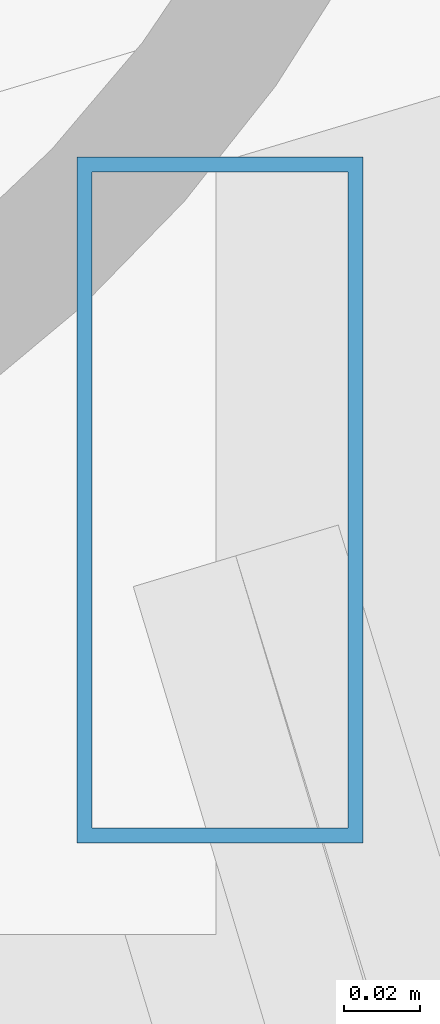
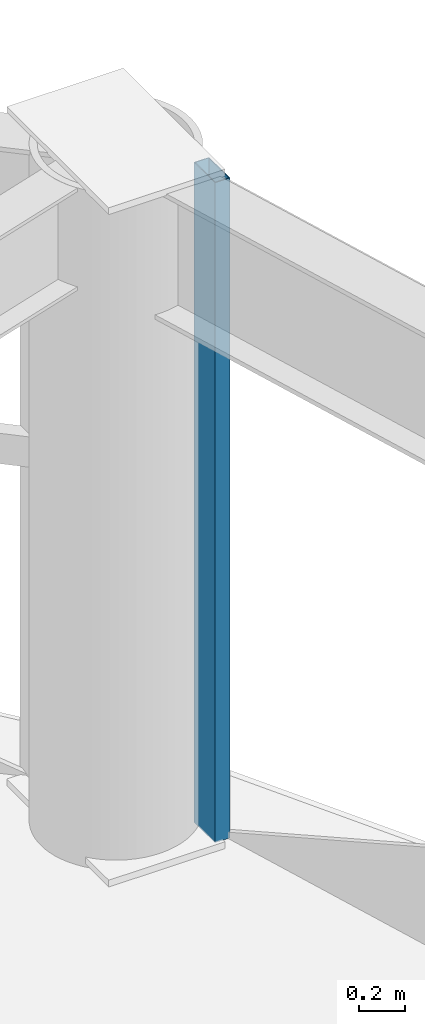
# One storey, part 21 of 32: 1 member, 1 element without a shape of its own.
"""IFC4 building model written with IfcOpenShell, lengths in metres."""

from ifc_helpers import new_model, si_unit, direction, frame, origin, origin_2d, place, context, subcontext, project, spatial, hollow_rectangle, extrude, material, layer, layer_set, material_profile, profile_set, type_object, element, aggregate, save


model = new_model("IFC4")

# Units and contexts
model_context = context("Model", 3, precision=1e-05, world=origin(), true_north=direction((0.0, 1.0)))
body_context = subcontext(model_context, "Body", "Model", "MODEL_VIEW")
ifc_project = project(units=[si_unit("LENGTHUNIT", "METRE"), si_unit("AREAUNIT", "SQUARE_METRE"), si_unit("VOLUMEUNIT", "CUBIC_METRE"), si_unit("PLANEANGLEUNIT", "RADIAN"), si_unit("MASSUNIT", "GRAM", prefix="KILO")], contexts=[model_context])

# Site, building, storey
site_placement = place(None, origin())
site = spatial("IfcSite", under=ifc_project, at=site_placement, CompositionType="ELEMENT")
building_placement = place(site_placement, origin())
building = spatial("IfcBuilding", under=site, at=building_placement, Name="Vantalir Tower", CompositionType="ELEMENT")
storey_placement = place(building_placement, frame((0.0, 0.0, 104.699951171875)))
storey = spatial("IfcBuildingStorey", under=building, at=storey_placement, Name="L25", CompositionType="ELEMENT", Elevation=104.699951171875)

# Curtain wall, member
ifc_material_1 = material(Name="Champagne-silver PVDF aluminium and double-silver Low-E glass", Category="aluminium")
ifc_layer = layer(ifc_material_1, 0.199951171875)
ifc_layer_set = layer_set([ifc_layer], Name="Champagne-silver PVDF aluminium and double-silver Low-E glass")
curtain_wall_type = type_object("IfcCurtainWallType", Name="CW-DIAMOND-Z2", PredefinedType="USERDEFINED", material=ifc_layer_set)
curtain_wall_placement = place(storey_placement, origin())
curtain_wall = element("IfcCurtainWall", 1, at=curtain_wall_placement, inside=storey, type_object=curtain_wall_type, Name="L25 Quilted Pyramid-Diamond Curtain Wall S01", ObjectType="UNITISED CURTAIN WALL", PredefinedType="USERDEFINED")
ifc_material_2 = material(Name="Champagne-silver PVDF aluminium 6063-T6", Category="aluminium")
ifc_material_profile = material_profile(ifc_material_2, hollow_rectangle(XDim=0.074951171875, YDim=0.179931640625, WallThickness=0.00390625, at=origin_2d()), Name="Champagne-silver PVDF aluminium 6063-T6")
ifc_profile_set = profile_set([ifc_material_profile], Name="Champagne-silver PVDF aluminium 6063-T6")
member_type = type_object("IfcMemberType", Name="CWM-180x75", PredefinedType="MULLION", material=ifc_profile_set)
member_placement = place(storey_placement, frame((53.950927734375, 36.068115234375, 0.045166015625), z_axis=(0.0, 0.0, 1.0), x_axis=(1.0, 0.0, 0.0)))
member = element("IfcMember", 2, at=member_placement, type_object=member_type, Name="CW-L25-S01 Mullion 2", PredefinedType="MULLION", context=body_context, shape_type="SweptSolid", body=[
    extrude(hollow_rectangle(XDim=0.074951171875, YDim=0.179931640625, WallThickness=0.00390625, at=origin_2d()), origin(), (0.0, 0.0, 1.0), 3.47998046875),
])
aggregate(curtain_wall, [member])

save(model, "model.ifc")
